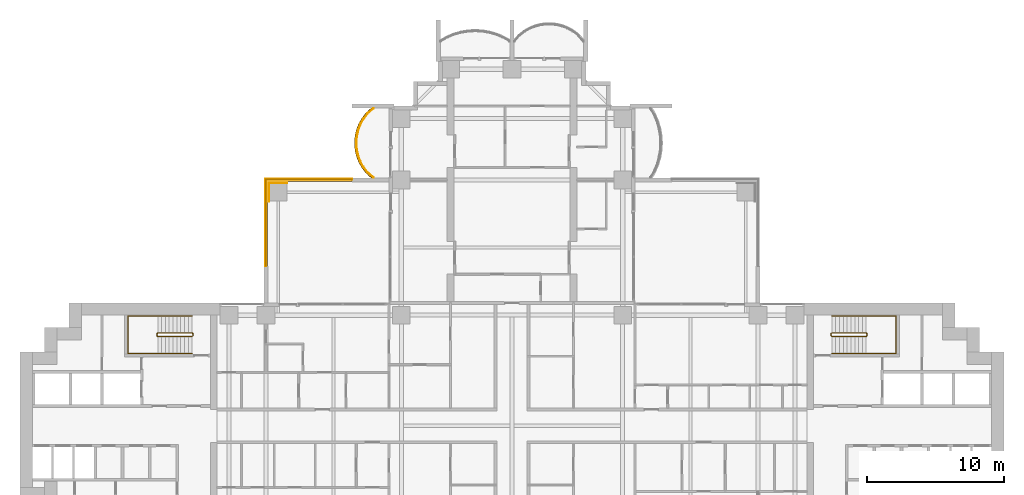
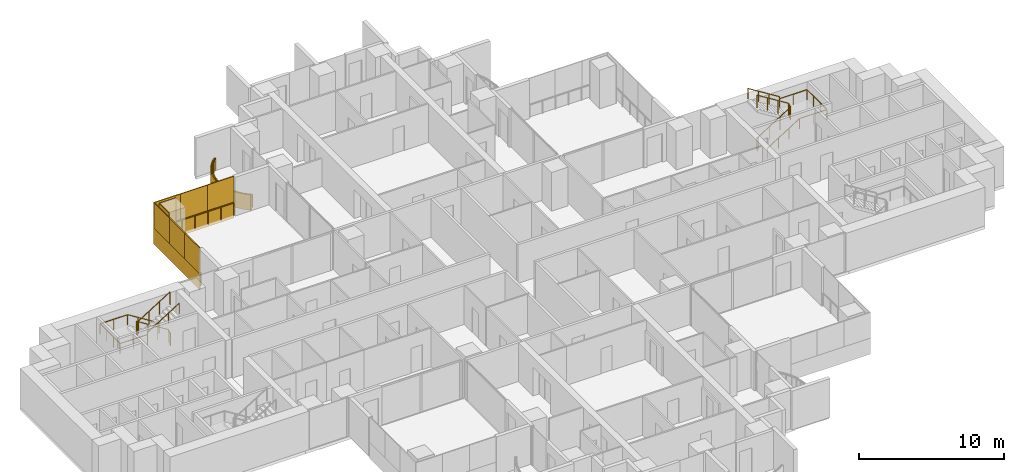
# One storey, part 20 of 21: 10 coverings, 6 railings.
"""IFC4 building model written with IfcOpenShell, lengths in metres."""

from ifc_helpers import new_model, si_unit, direction, frame, origin, origin_2d, place, context, subcontext, project, spatial, polyline, rectangle, outline, extrude, material, layer, layer_set, type_object, element, save


model = new_model("IFC4")

# Units and contexts
model_context = context("Model", 3, precision=1e-05, world=origin(), true_north=direction((0.0, 1.0)))
body_context = subcontext(model_context, "Body", "Model", "MODEL_VIEW")
ifc_project = project(units=[si_unit("LENGTHUNIT", "METRE"), si_unit("AREAUNIT", "SQUARE_METRE"), si_unit("VOLUMEUNIT", "CUBIC_METRE"), si_unit("PLANEANGLEUNIT", "RADIAN"), si_unit("MASSUNIT", "GRAM", prefix="KILO")], contexts=[model_context])

# Site, building, storey
site_placement = place(None, origin())
site = spatial("IfcSite", under=ifc_project, at=site_placement, CompositionType="ELEMENT")
building_placement = place(site_placement, origin())
building = spatial("IfcBuilding", under=site, at=building_placement, Name="Perihelion Cross Residences", CompositionType="ELEMENT")
storey_placement = place(building_placement, frame((0.0, 0.0, 43.5)))
storey = spatial("IfcBuildingStorey", under=building, at=storey_placement, Name="L07", CompositionType="ELEMENT", Elevation=43.5)

# Covering
ifc_material_1 = material(Name="Bronze anodised aluminium", Category="aluminium")
ifc_layer_1 = layer(ifc_material_1, 0.070068359375)
ifc_layer_set_1 = layer_set([ifc_layer_1], Name="Balcony fascia 1300")
covering_type_1 = type_object("IfcCoveringType", Name="Balcony fascia 1300", PredefinedType="CLADDING", material=ifc_layer_set_1)
covering_1_placement = place(storey_placement, frame((0.0, 0.0, -0.199951171875)))
element("IfcCovering", 1, at=covering_1_placement, inside=storey, type_object=covering_type_1, Name="Fascia BF1 L07 north side west bay 1", PredefinedType="CLADDING", context=body_context, shape_type="SweptSolid", body=[
    extrude(outline(polyline([(-10.674072265625, 22.90478515625), (-10.982666015625, 22.50390625), (-11.20654296875, 22.10302734375), (-11.364013671875, 21.7021484375), (-11.464599609375, 21.30126953125), (-11.513916015625, 20.900390625), (-11.513916015625, 20.49951171875), (-11.464599609375, 20.0986328125), (-11.364013671875, 19.69775390625), (-11.20654296875, 19.296875), (-10.982666015625, 18.89599609375), (-10.674072265625, 18.4951171875), (-10.302734375, 18.14990234375), (-10.199951171875, 18.14990234375), (-10.622314453125, 18.542236328125), (-10.924072265625, 18.9345703125), (-11.143310546875, 19.326904296875), (-11.29736328125, 19.71923828125), (-11.39599609375, 20.111572265625), (-11.444091796875, 20.50390625), (-11.444091796875, 20.896240234375), (-11.39599609375, 21.28857421875), (-11.29736328125, 21.6806640625), (-11.143310546875, 22.072998046875), (-10.924072265625, 22.46533203125), (-10.622314453125, 22.857666015625), (-10.199951171875, 23.25), (-10.302734375, 23.25), (-10.674072265625, 22.90478515625)])), origin(), (0.0, 0.0, 1.0), 1.300048828125),
])

# Railings
ifc_material_2 = material(Name="Bronze anodised aluminium", Category="aluminium")
railing_type_1 = type_object("IfcRailingType", Name="Balcony guard 1100", PredefinedType="GUARDRAIL", material=ifc_material_2)
railing_1_placement = place(storey_placement, frame((-10.139892578125, 23.22509765625, 0.0)))
element("IfcRailing", 2, at=railing_1_placement, inside=storey, type_object=railing_type_1, Name="Guard GU1 L07 north side west bay 1 balcony", PredefinedType="GUARDRAIL", context=body_context, shape_type="SweptSolid", body=[
    extrude(rectangle(XDim=0.048095703125, YDim=0.048095703125, at=origin_2d()), frame((0.0, 0.0, 1.076171875), z_axis=(-0.754464673757, -0.656340655493, 0.0), x_axis=(0.656340655493, -0.754464673757, 0.0)), (0.0, 0.0, 1.0), 0.559814453125),
    extrude(rectangle(XDim=0.048095703125, YDim=0.048095703125, at=origin_2d()), frame((-0.42236328125, -0.367431640625, 1.076171875), z_axis=(-0.60966308455, -0.792660660899, 0.0), x_axis=(0.792660660899, -0.60966308455, 0.0)), (0.0, 0.0, 1.0), 0.494873046875),
    extrude(rectangle(XDim=0.048095703125, YDim=0.048095703125, at=origin_2d()), frame((-0.72412109375, -0.759765625, 1.076171875), z_axis=(-0.487809182674, -0.872950285698, 0.0), x_axis=(0.872950285698, -0.487809182674, 0.0)), (0.0, 0.0, 1.0), 0.449462890625),
    extrude(rectangle(XDim=0.048095703125, YDim=0.048095703125, at=origin_2d()), frame((-0.943359375, -1.152099609375, 1.076171875), z_axis=(-0.365491079925, -0.930814842219, 0.0), x_axis=(0.930814842219, -0.365491079925, 0.0)), (0.0, 0.0, 1.0), 0.42138671875),
    extrude(rectangle(XDim=0.048095703125, YDim=0.048095703125, at=origin_2d()), frame((-1.097412109375, -1.54443359375, 1.076171875), z_axis=(-0.243956193074, -0.969786252666, 0.0), x_axis=(0.969786252666, -0.243956193074, 0.0)), (0.0, 0.0, 1.0), 0.404296875),
    extrude(rectangle(XDim=0.048095703125, YDim=0.048095703125, at=origin_2d()), frame((-1.196044921875, -1.9365234375, 1.076171875), z_axis=(-0.121677797999, -0.992569651699, 0.0), x_axis=(0.992569651699, -0.121677797999, 0.0)), (0.0, 0.0, 1.0), 0.395263671875),
    extrude(rectangle(XDim=0.048095703125, YDim=0.048095703125, at=origin_2d()), frame((-1.244140625, -2.328857421875, 1.076171875), z_axis=(0.0, -1.0, 0.0), x_axis=(1.0, 0.0, 0.0)), (0.0, 0.0, 1.0), 0.392333984375),
    extrude(rectangle(XDim=0.048095703125, YDim=0.048095703125, at=origin_2d()), frame((-1.244140625, -2.72119140625, 1.076171875), z_axis=(0.121677797999, -0.992569651699, 0.0), x_axis=(0.992569651699, 0.121677797999, 0.0)), (0.0, 0.0, 1.0), 0.395263671875),
    extrude(rectangle(XDim=0.048095703125, YDim=0.048095703125, at=origin_2d()), frame((-1.196044921875, -3.113525390625, 1.076171875), z_axis=(0.243813411509, -0.969822159145, 0.0), x_axis=(0.969822159145, 0.243813411509, 0.0)), (0.0, 0.0, 1.0), 0.404541015625),
    extrude(rectangle(XDim=0.048095703125, YDim=0.048095703125, at=origin_2d()), frame((-1.097412109375, -3.505859375, 1.076171875), z_axis=(0.365491079925, -0.930814842219, 0.0), x_axis=(0.930814842219, 0.365491079925, 0.0)), (0.0, 0.0, 1.0), 0.42138671875),
    extrude(rectangle(XDim=0.048095703125, YDim=0.048095703125, at=origin_2d()), frame((-0.943359375, -3.898193359375, 1.076171875), z_axis=(0.487809182674, -0.872950285698, 0.0), x_axis=(0.872950285698, 0.487809182674, 0.0)), (0.0, 0.0, 1.0), 0.449462890625),
    extrude(rectangle(XDim=0.048095703125, YDim=0.048095703125, at=origin_2d()), frame((-0.72412109375, -4.29052734375, 1.076171875), z_axis=(0.60966308455, -0.792660660899, 0.0), x_axis=(0.792660660899, 0.60966308455, 0.0)), (0.0, 0.0, 1.0), 0.494873046875),
    extrude(rectangle(XDim=0.048095703125, YDim=0.048095703125, at=origin_2d()), frame((-0.42236328125, -4.682861328125, 1.076171875), z_axis=(0.754680648599, -0.656092309534, 0.0), x_axis=(0.656092309534, 0.754680648599, 0.0)), (0.0, 0.0, 1.0), 0.5595703125),
    extrude(rectangle(XDim=0.0419921875, YDim=0.0419921875, at=origin_2d()), origin(), (0.0, 0.0, 1.0), 1.052001953125),
    extrude(rectangle(XDim=0.0419921875, YDim=0.0419921875, at=origin_2d()), frame((-0.42236328125, -0.367431640625, 0.0)), (0.0, 0.0, 1.0), 1.052001953125),
    extrude(rectangle(XDim=0.0419921875, YDim=0.0419921875, at=origin_2d()), frame((-0.72412109375, -0.759765625, 0.0)), (0.0, 0.0, 1.0), 1.052001953125),
    extrude(rectangle(XDim=0.0419921875, YDim=0.0419921875, at=origin_2d()), frame((-0.943359375, -1.152099609375, 0.0)), (0.0, 0.0, 1.0), 1.052001953125),
    extrude(rectangle(XDim=0.0419921875, YDim=0.0419921875, at=origin_2d()), frame((-1.097412109375, -1.54443359375, 0.0)), (0.0, 0.0, 1.0), 1.052001953125),
    extrude(rectangle(XDim=0.0419921875, YDim=0.0419921875, at=origin_2d()), frame((-1.196044921875, -1.9365234375, 0.0)), (0.0, 0.0, 1.0), 1.052001953125),
    extrude(rectangle(XDim=0.0419921875, YDim=0.0419921875, at=origin_2d()), frame((-1.244140625, -2.328857421875, 0.0)), (0.0, 0.0, 1.0), 1.052001953125),
    extrude(rectangle(XDim=0.0419921875, YDim=0.0419921875, at=origin_2d()), frame((-1.244140625, -2.72119140625, 0.0)), (0.0, 0.0, 1.0), 1.052001953125),
    extrude(rectangle(XDim=0.0419921875, YDim=0.0419921875, at=origin_2d()), frame((-1.196044921875, -3.113525390625, 0.0)), (0.0, 0.0, 1.0), 1.052001953125),
    extrude(rectangle(XDim=0.0419921875, YDim=0.0419921875, at=origin_2d()), frame((-1.097412109375, -3.505859375, 0.0)), (0.0, 0.0, 1.0), 1.052001953125),
    extrude(rectangle(XDim=0.0419921875, YDim=0.0419921875, at=origin_2d()), frame((-0.943359375, -3.898193359375, 0.0)), (0.0, 0.0, 1.0), 1.052001953125),
    extrude(rectangle(XDim=0.0419921875, YDim=0.0419921875, at=origin_2d()), frame((-0.72412109375, -4.29052734375, 0.0)), (0.0, 0.0, 1.0), 1.052001953125),
    extrude(rectangle(XDim=0.0419921875, YDim=0.0419921875, at=origin_2d()), frame((-0.42236328125, -4.682861328125, 0.0)), (0.0, 0.0, 1.0), 1.052001953125),
    extrude(rectangle(XDim=0.0419921875, YDim=0.0419921875, at=origin_2d()), frame((0.0, -5.050048828125, 0.0)), (0.0, 0.0, 1.0), 1.052001953125),
])
railing_2_placement = place(storey_placement, frame((-17.93994140625, 11.739990234375, 0.0)))
element("IfcRailing", 3, at=railing_2_placement, inside=storey, type_object=railing_type_1, Name="Guard GU1 L07 pocket north-west 1", PredefinedType="GUARDRAIL", context=body_context, shape_type="SweptSolid", body=[
    extrude(rectangle(XDim=0.048095703125, YDim=0.048095703125, at=origin_2d()), frame((0.0, 0.0, 1.076171875), z_axis=(0.0, 1.0, 0.0), x_axis=(-1.0, 0.0, 0.0)), (0.0, 0.0, 1.0), 6.199951171875),
    extrude(rectangle(XDim=0.048095703125, YDim=0.048095703125, at=origin_2d()), frame((0.0, 6.199951171875, 1.076171875), z_axis=(1.0, 0.0, 0.0), x_axis=(0.0, 1.0, 0.0)), (0.0, 0.0, 1.0), 6.199951171875),
    extrude(rectangle(XDim=0.0419921875, YDim=0.0419921875, at=origin_2d()), origin(), (0.0, 0.0, 1.0), 1.052001953125),
    extrude(rectangle(XDim=0.0419921875, YDim=0.0419921875, at=origin_2d()), frame((0.0, 1.033203125, 0.0)), (0.0, 0.0, 1.0), 1.052001953125),
    extrude(rectangle(XDim=0.0419921875, YDim=0.0419921875, at=origin_2d()), frame((0.0, 2.066650390625, 0.0)), (0.0, 0.0, 1.0), 1.052001953125),
    extrude(rectangle(XDim=0.0419921875, YDim=0.0419921875, at=origin_2d()), frame((0.0, 3.10009765625, 0.0)), (0.0, 0.0, 1.0), 1.052001953125),
    extrude(rectangle(XDim=0.0419921875, YDim=0.0419921875, at=origin_2d()), frame((0.0, 4.13330078125, 0.0)), (0.0, 0.0, 1.0), 1.052001953125),
    extrude(rectangle(XDim=0.0419921875, YDim=0.0419921875, at=origin_2d()), frame((0.0, 5.16650390625, 0.0)), (0.0, 0.0, 1.0), 1.052001953125),
    extrude(rectangle(XDim=0.0419921875, YDim=0.0419921875, at=origin_2d()), frame((0.0, 6.199951171875, 0.0)), (0.0, 0.0, 1.0), 1.052001953125),
    extrude(rectangle(XDim=0.0419921875, YDim=0.0419921875, at=origin_2d()), frame((1.033203125, 6.199951171875, 0.0)), (0.0, 0.0, 1.0), 1.052001953125),
    extrude(rectangle(XDim=0.0419921875, YDim=0.0419921875, at=origin_2d()), frame((2.066650390625, 6.199951171875, 0.0)), (0.0, 0.0, 1.0), 1.052001953125),
    extrude(rectangle(XDim=0.0419921875, YDim=0.0419921875, at=origin_2d()), frame((3.10009765625, 6.199951171875, 0.0)), (0.0, 0.0, 1.0), 1.052001953125),
    extrude(rectangle(XDim=0.0419921875, YDim=0.0419921875, at=origin_2d()), frame((4.13330078125, 6.199951171875, 0.0)), (0.0, 0.0, 1.0), 1.052001953125),
    extrude(rectangle(XDim=0.0419921875, YDim=0.0419921875, at=origin_2d()), frame((5.16650390625, 6.199951171875, 0.0)), (0.0, 0.0, 1.0), 1.052001953125),
    extrude(rectangle(XDim=0.0419921875, YDim=0.0419921875, at=origin_2d()), frame((6.199951171875, 6.199951171875, 0.0)), (0.0, 0.0, 1.0), 1.052001953125),
])

# Coverings
ifc_material_3 = material(Name="Bronze anodised aluminium", Category="aluminium")
ifc_layer_2 = layer(ifc_material_3, 0.0400390625)
ifc_layer_set_2 = layer_set([ifc_layer_2], Name="Bronze column casing 40")
covering_type_2 = type_object("IfcCoveringType", Name="Bronze column casing 40", PredefinedType="CLADDING", material=ifc_layer_set_2)
covering_2_placement = place(storey_placement, frame((-17.77001953125, 17.10009765625, -0.25), z_axis=(0.0, 0.0, 1.0), x_axis=(1.0, 0.0, 0.0)))
element("IfcCovering", 4, at=covering_2_placement, inside=storey, type_object=covering_type_2, Name="Cladding CC1 L07 casing east-west no. 2", PredefinedType="CLADDING", context=body_context, shape_type="SweptSolid", body=[
    extrude(rectangle(XDim=0.0400390625, YDim=1.3798828125, at=origin_2d()), origin(), (0.0, 0.0, 1.0), 3.5),
])
covering_3_placement = place(storey_placement, frame((-17.10009765625, 17.77001953125, -0.25), z_axis=(0.0, 0.0, 1.0), x_axis=(1.0, 0.0, 0.0)))
element("IfcCovering", 5, at=covering_3_placement, inside=storey, type_object=covering_type_2, Name="Cladding CC1 L07 casing north-south no. 2", PredefinedType="CLADDING", context=body_context, shape_type="SweptSolid", body=[
    extrude(rectangle(XDim=1.300048828125, YDim=0.0400390625, at=origin_2d()), origin(), (0.0, 0.0, 1.0), 3.5),
])
ifc_material_4 = material(Name="Bronze anodised aluminium", Category="aluminium")
ifc_layer_3 = layer(ifc_material_4, 0.070068359375)
ifc_layer_set_3 = layer_set([ifc_layer_3], Name="Pocket fascia 1350")
covering_type_3 = type_object("IfcCoveringType", Name="Pocket fascia 1350", PredefinedType="CLADDING", material=ifc_layer_set_3)
covering_4_placement = place(storey_placement, frame((0.0, 0.0, -0.25)))
element("IfcCovering", 6, at=covering_4_placement, inside=storey, type_object=covering_type_3, Name="Fascia BF2 L07 pocket north-west 3", PredefinedType="CLADDING", context=body_context, shape_type="SweptSolid", body=[
    extrude(outline(polyline([(-18.070068359375, 18.070068359375), (-18.070068359375, 11.699951171875), (-18.0, 11.699951171875), (-18.0, 18.0), (-11.699951171875, 18.0), (-11.699951171875, 18.070068359375), (-18.070068359375, 18.070068359375)])), origin(), (0.0, 0.0, 1.0), 1.35009765625),
])
ifc_material_5 = material(Name="Bronze perforated aluminium", Category="aluminium")
ifc_layer_4 = layer(ifc_material_5, 0.070068359375)
ifc_layer_set_4 = layer_set([ifc_layer_4], Name="Pocket solar screen, bronze perforated")
covering_type_4 = type_object("IfcCoveringType", Name="Pocket solar screen, bronze perforated", PredefinedType="CLADDING", material=ifc_layer_set_4)
covering_5_placement = place(storey_placement, frame((0.0, 0.0, 1.10009765625)))
element("IfcCovering", 7, at=covering_5_placement, inside=storey, type_object=covering_type_4, Name="Solar screen PS1 L07 pocket north-west no. 1", PredefinedType="CLADDING", context=body_context, shape_type="SweptSolid", body=[
    extrude(outline(polyline([(-18.0, 11.699951171875), (-18.0, 13.800048828125), (-18.070068359375, 13.800048828125), (-18.070068359375, 11.699951171875), (-18.0, 11.699951171875)])), origin(), (0.0, 0.0, 1.0), 2.14990234375),
])
covering_6_placement = place(storey_placement, frame((0.0, 0.0, 1.10009765625)))
element("IfcCovering", 8, at=covering_6_placement, inside=storey, type_object=covering_type_4, Name="Solar screen PS1 L07 pocket north-west no. 2", PredefinedType="CLADDING", context=body_context, shape_type="SweptSolid", body=[
    extrude(outline(polyline([(-18.0, 13.800048828125), (-18.0, 15.89990234375), (-18.070068359375, 15.89990234375), (-18.070068359375, 13.800048828125), (-18.0, 13.800048828125)])), origin(), (0.0, 0.0, 1.0), 2.14990234375),
])
covering_7_placement = place(storey_placement, frame((0.0, 0.0, 1.10009765625)))
element("IfcCovering", 9, at=covering_7_placement, inside=storey, type_object=covering_type_4, Name="Solar screen PS1 L07 pocket north-west no. 3", PredefinedType="CLADDING", context=body_context, shape_type="SweptSolid", body=[
    extrude(outline(polyline([(-18.0, 15.89990234375), (-18.0, 18.0), (-18.070068359375, 18.0), (-18.070068359375, 15.89990234375), (-18.0, 15.89990234375)])), origin(), (0.0, 0.0, 1.0), 2.14990234375),
])
covering_8_placement = place(storey_placement, frame((0.0, 0.0, 1.10009765625)))
element("IfcCovering", 10, at=covering_8_placement, inside=storey, type_object=covering_type_4, Name="Solar screen PS1 L07 pocket north-west no. 4", PredefinedType="CLADDING", context=body_context, shape_type="SweptSolid", body=[
    extrude(outline(polyline([(-15.94677734375, 18.0), (-15.94677734375, 18.070068359375), (-18.070068359375, 18.070068359375), (-18.070068359375, 18.0), (-15.94677734375, 18.0)])), origin(), (0.0, 0.0, 1.0), 2.14990234375),
])
covering_9_placement = place(storey_placement, frame((0.0, 0.0, 1.10009765625)))
element("IfcCovering", 11, at=covering_9_placement, inside=storey, type_object=covering_type_4, Name="Solar screen PS1 L07 pocket north-west no. 5", PredefinedType="CLADDING", context=body_context, shape_type="SweptSolid", body=[
    extrude(outline(polyline([(-13.8232421875, 18.0), (-13.8232421875, 18.070068359375), (-15.94677734375, 18.070068359375), (-15.94677734375, 18.0), (-13.8232421875, 18.0)])), origin(), (0.0, 0.0, 1.0), 2.14990234375),
])
covering_10_placement = place(storey_placement, frame((0.0, 0.0, 1.10009765625)))
element("IfcCovering", 12, at=covering_10_placement, inside=storey, type_object=covering_type_4, Name="Solar screen PS1 L07 pocket north-west no. 6", PredefinedType="CLADDING", context=body_context, shape_type="SweptSolid", body=[
    extrude(outline(polyline([(-11.699951171875, 18.0), (-11.699951171875, 18.070068359375), (-13.8232421875, 18.070068359375), (-13.8232421875, 18.0), (-11.699951171875, 18.0)])), origin(), (0.0, 0.0, 1.0), 2.14990234375),
])

# Railings
ifc_material_6 = material(Name="Stainless steel", Category="steel")
railing_type_2 = type_object("IfcRailingType", Name="Stair guard 1100", PredefinedType="GUARDRAIL", material=ifc_material_6)
railing_3_placement = place(storey_placement, frame((23.35009765625, 6.75, 0.0)))
element("IfcRailing", 13, at=railing_3_placement, inside=storey, type_object=railing_type_2, Name="L07 ST-E1 stair guard 1", PredefinedType="GUARDRAIL", context=body_context, shape_type="SweptSolid", body=[
    extrude(rectangle(XDim=0.048095703125, YDim=0.048095703125, at=origin_2d()), frame((0.0, 0.0, 1.076171875), z_axis=(0.0, -1.0, 0.0), x_axis=(1.0, 0.0, 0.0)), (0.0, 0.0, 1.0), 0.14990234375),
    extrude(rectangle(XDim=0.048095703125, YDim=0.048095703125, at=origin_2d()), frame((0.0, -0.14990234375, 1.076171875), z_axis=(0.263862480399, -0.265155923931, 0.927399011991), x_axis=(0.708833529934, 0.705375805398, 0.0)), (0.0, 0.0, 1.0), 0.188720703125),
    extrude(rectangle(XDim=0.048095703125, YDim=0.048095703125, at=origin_2d()), frame((0.0498046875, -0.199951171875, 1.2509765625), z_axis=(0.848007534815, 0.0, 0.529984170421), x_axis=(0.0, 1.0, 0.0)), (0.0, 0.0, 1.0), 2.9716796875),
    extrude(rectangle(XDim=0.048095703125, YDim=0.048095703125, at=origin_2d()), frame((2.56982421875, -0.199951171875, 2.826171875), z_axis=(0.707106781187, 0.707106781187, 0.0), x_axis=(-0.707106781187, 0.707106781187, 0.0)), (0.0, 0.0, 1.0), 0.07080078125),
    extrude(rectangle(XDim=0.048095703125, YDim=0.048095703125, at=origin_2d()), frame((2.619873046875, -0.14990234375, 2.826171875), z_axis=(0.0, 1.0, 0.0), x_axis=(-1.0, 0.0, 0.0)), (0.0, 0.0, 1.0), 0.14990234375),
    extrude(rectangle(XDim=0.048095703125, YDim=0.048095703125, at=origin_2d()), frame((2.619873046875, 0.0, 2.826171875), z_axis=(-0.265065253269, 0.265065253269, 0.927081885822), x_axis=(-0.707106781187, -0.707106781187, 0.0)), (0.0, 0.0, 1.0), 0.188720703125),
    extrude(rectangle(XDim=0.048095703125, YDim=0.048095703125, at=origin_2d()), frame((2.56982421875, 0.050048828125, 3.0009765625), z_axis=(-0.848007534815, 0.0, 0.529984170421), x_axis=(0.0, -1.0, 0.0)), (0.0, 0.0, 1.0), 2.9716796875),
    extrude(rectangle(XDim=0.0419921875, YDim=0.0419921875, at=origin_2d()), origin(), (0.0, 0.0, 1.0), 1.052001953125),
    extrude(rectangle(XDim=0.0419921875, YDim=0.0419921875, at=origin_2d()), frame((0.0, -0.14990234375, 0.0)), (0.0, 0.0, 1.0), 1.052001953125),
    extrude(rectangle(XDim=0.0419921875, YDim=0.0419921875, at=origin_2d()), frame((0.0498046875, -0.199951171875, 0.175048828125)), (0.0, 0.0, 1.0), 1.052001953125),
    extrude(rectangle(XDim=0.0419921875, YDim=0.0419921875, at=origin_2d()), frame((0.889892578125, -0.199951171875, 0.699951171875)), (0.0, 0.0, 1.0), 1.052001953125),
    extrude(rectangle(XDim=0.0419921875, YDim=0.0419921875, at=origin_2d()), frame((1.729736328125, -0.199951171875, 1.22509765625)), (0.0, 0.0, 1.0), 1.052001953125),
    extrude(rectangle(XDim=0.0419921875, YDim=0.0419921875, at=origin_2d()), frame((2.56982421875, -0.199951171875, 1.75)), (0.0, 0.0, 1.0), 1.052001953125),
    extrude(rectangle(XDim=0.0419921875, YDim=0.0419921875, at=origin_2d()), frame((2.619873046875, -0.14990234375, 1.75)), (0.0, 0.0, 1.0), 1.052001953125),
    extrude(rectangle(XDim=0.0419921875, YDim=0.0419921875, at=origin_2d()), frame((2.619873046875, 0.0, 1.75)), (0.0, 0.0, 1.0), 1.052001953125),
    extrude(rectangle(XDim=0.0419921875, YDim=0.0419921875, at=origin_2d()), frame((2.56982421875, 0.050048828125, 1.925048828125)), (0.0, 0.0, 1.0), 1.052001953125),
    extrude(rectangle(XDim=0.0419921875, YDim=0.0419921875, at=origin_2d()), frame((1.729736328125, 0.050048828125, 2.449951171875)), (0.0, 0.0, 1.0), 1.052001953125),
    extrude(rectangle(XDim=0.0419921875, YDim=0.0419921875, at=origin_2d()), frame((0.889892578125, 0.050048828125, 2.97509765625)), (0.0, 0.0, 1.0), 1.052001953125),
    extrude(rectangle(XDim=0.0419921875, YDim=0.0419921875, at=origin_2d()), frame((0.0498046875, 0.050048828125, 3.5)), (0.0, 0.0, 1.0), 1.052001953125),
])
railing_4_placement = place(storey_placement, frame((-23.35009765625, 6.60009765625, 0.0)))
element("IfcRailing", 14, at=railing_4_placement, inside=storey, type_object=railing_type_2, Name="L07 ST-W1 stair guard 1", PredefinedType="GUARDRAIL", context=body_context, shape_type="SweptSolid", body=[
    extrude(rectangle(XDim=0.048095703125, YDim=0.048095703125, at=origin_2d()), frame((0.0, 0.0, 1.076171875), z_axis=(0.0, 1.0, 0.0), x_axis=(-1.0, 0.0, 0.0)), (0.0, 0.0, 1.0), 0.14990234375),
    extrude(rectangle(XDim=0.048095703125, YDim=0.048095703125, at=origin_2d()), frame((0.0, 0.14990234375, 1.076171875), z_axis=(-0.263862480399, 0.265155923931, 0.927399011991), x_axis=(-0.708833529934, -0.705375805398, 0.0)), (0.0, 0.0, 1.0), 0.188720703125),
    extrude(rectangle(XDim=0.048095703125, YDim=0.048095703125, at=origin_2d()), frame((-0.0498046875, 0.199951171875, 1.2509765625), z_axis=(-0.848007534815, 0.0, 0.529984170421), x_axis=(0.0, -1.0, 0.0)), (0.0, 0.0, 1.0), 2.9716796875),
    extrude(rectangle(XDim=0.048095703125, YDim=0.048095703125, at=origin_2d()), frame((-2.56982421875, 0.199951171875, 2.826171875), z_axis=(-0.707106781187, -0.707106781187, 0.0), x_axis=(0.707106781187, -0.707106781187, 0.0)), (0.0, 0.0, 1.0), 0.07080078125),
    extrude(rectangle(XDim=0.048095703125, YDim=0.048095703125, at=origin_2d()), frame((-2.619873046875, 0.14990234375, 2.826171875), z_axis=(0.0, -1.0, 0.0), x_axis=(1.0, 0.0, 0.0)), (0.0, 0.0, 1.0), 0.14990234375),
    extrude(rectangle(XDim=0.048095703125, YDim=0.048095703125, at=origin_2d()), frame((-2.619873046875, 0.0, 2.826171875), z_axis=(0.265065253269, -0.265065253269, 0.927081885822), x_axis=(0.707106781187, 0.707106781187, 0.0)), (0.0, 0.0, 1.0), 0.188720703125),
    extrude(rectangle(XDim=0.048095703125, YDim=0.048095703125, at=origin_2d()), frame((-2.56982421875, -0.050048828125, 3.0009765625), z_axis=(0.848007534815, 0.0, 0.529984170421), x_axis=(0.0, 1.0, 0.0)), (0.0, 0.0, 1.0), 2.9716796875),
    extrude(rectangle(XDim=0.0419921875, YDim=0.0419921875, at=origin_2d()), origin(), (0.0, 0.0, 1.0), 1.052001953125),
    extrude(rectangle(XDim=0.0419921875, YDim=0.0419921875, at=origin_2d()), frame((0.0, 0.14990234375, 0.0)), (0.0, 0.0, 1.0), 1.052001953125),
    extrude(rectangle(XDim=0.0419921875, YDim=0.0419921875, at=origin_2d()), frame((-0.0498046875, 0.199951171875, 0.175048828125)), (0.0, 0.0, 1.0), 1.052001953125),
    extrude(rectangle(XDim=0.0419921875, YDim=0.0419921875, at=origin_2d()), frame((-0.889892578125, 0.199951171875, 0.699951171875)), (0.0, 0.0, 1.0), 1.052001953125),
    extrude(rectangle(XDim=0.0419921875, YDim=0.0419921875, at=origin_2d()), frame((-1.729736328125, 0.199951171875, 1.22509765625)), (0.0, 0.0, 1.0), 1.052001953125),
    extrude(rectangle(XDim=0.0419921875, YDim=0.0419921875, at=origin_2d()), frame((-2.56982421875, 0.199951171875, 1.75)), (0.0, 0.0, 1.0), 1.052001953125),
    extrude(rectangle(XDim=0.0419921875, YDim=0.0419921875, at=origin_2d()), frame((-2.619873046875, 0.14990234375, 1.75)), (0.0, 0.0, 1.0), 1.052001953125),
    extrude(rectangle(XDim=0.0419921875, YDim=0.0419921875, at=origin_2d()), frame((-2.619873046875, 0.0, 1.75)), (0.0, 0.0, 1.0), 1.052001953125),
    extrude(rectangle(XDim=0.0419921875, YDim=0.0419921875, at=origin_2d()), frame((-2.56982421875, -0.050048828125, 1.925048828125)), (0.0, 0.0, 1.0), 1.052001953125),
    extrude(rectangle(XDim=0.0419921875, YDim=0.0419921875, at=origin_2d()), frame((-1.729736328125, -0.050048828125, 2.449951171875)), (0.0, 0.0, 1.0), 1.052001953125),
    extrude(rectangle(XDim=0.0419921875, YDim=0.0419921875, at=origin_2d()), frame((-0.889892578125, -0.050048828125, 2.97509765625)), (0.0, 0.0, 1.0), 1.052001953125),
    extrude(rectangle(XDim=0.0419921875, YDim=0.0419921875, at=origin_2d()), frame((-0.0498046875, -0.050048828125, 3.5)), (0.0, 0.0, 1.0), 1.052001953125),
])
ifc_material_7 = material(Name="Stainless steel", Category="steel")
railing_type_3 = type_object("IfcRailingType", Name="Stair handrail 900", PredefinedType="HANDRAIL", material=ifc_material_7)
railing_5_placement = place(storey_placement, frame((23.39990234375, 5.300048828125, 0.175048828125)))
element("IfcRailing", 15, at=railing_5_placement, inside=storey, type_object=railing_type_3, Name="L07 ST-E1 stair handrail 1", PredefinedType="HANDRAIL", context=body_context, shape_type="SweptSolid", body=[
    extrude(rectangle(XDim=0.048095703125, YDim=0.048095703125, at=origin_2d()), frame((0.0, 0.0, 0.8759765625), z_axis=(0.848007534815, 0.0, 0.529984170421), x_axis=(0.0, 1.0, 0.0)), (0.0, 0.0, 1.0), 2.9716796875),
    extrude(rectangle(XDim=0.048095703125, YDim=0.048095703125, at=origin_2d()), frame((2.52001953125, 0.0, 2.45068359375), z_axis=(1.0, 0.0, 0.0), x_axis=(0.0, 1.0, 0.0)), (0.0, 0.0, 1.0), 2.18017578125),
    extrude(rectangle(XDim=0.048095703125, YDim=0.048095703125, at=origin_2d()), frame((4.7001953125, 0.0, 2.45068359375), z_axis=(0.0, 1.0, 0.0), x_axis=(-1.0, 0.0, 0.0)), (0.0, 0.0, 1.0), 2.75),
    extrude(rectangle(XDim=0.048095703125, YDim=0.048095703125, at=origin_2d()), frame((4.7001953125, 2.75, 2.45068359375), z_axis=(-1.0, 0.0, 0.0), x_axis=(0.0, -1.0, 0.0)), (0.0, 0.0, 1.0), 2.18017578125),
    extrude(rectangle(XDim=0.048095703125, YDim=0.048095703125, at=origin_2d()), frame((2.52001953125, 2.75, 2.45068359375), z_axis=(0.0, 0.0, 1.0), x_axis=(1.0, 0.0, 0.0)), (0.0, 0.0, 1.0), 0.175048828125),
    extrude(rectangle(XDim=0.048095703125, YDim=0.048095703125, at=origin_2d()), frame((2.52001953125, 2.75, 2.6259765625), z_axis=(-0.848007534815, 0.0, 0.529984170421), x_axis=(0.0, -1.0, 0.0)), (0.0, 0.0, 1.0), 2.9716796875),
    extrude(rectangle(XDim=0.0419921875, YDim=0.0419921875, at=origin_2d()), origin(), (0.0, 0.0, 1.0), 0.851806640625),
    extrude(rectangle(XDim=0.0419921875, YDim=0.0419921875, at=origin_2d()), frame((0.840087890625, 0.0, 0.52490234375)), (0.0, 0.0, 1.0), 0.851806640625),
    extrude(rectangle(XDim=0.0419921875, YDim=0.0419921875, at=origin_2d()), frame((1.679931640625, 0.0, 1.050048828125)), (0.0, 0.0, 1.0), 0.851806640625),
    extrude(rectangle(XDim=0.0419921875, YDim=0.0419921875, at=origin_2d()), frame((2.52001953125, 0.0, 1.574951171875)), (0.0, 0.0, 1.0), 0.851806640625),
    extrude(rectangle(XDim=0.0419921875, YDim=0.0419921875, at=origin_2d()), frame((3.610107421875, 0.0, 1.574951171875)), (0.0, 0.0, 1.0), 0.851806640625),
    extrude(rectangle(XDim=0.0419921875, YDim=0.0419921875, at=origin_2d()), frame((4.7001953125, 0.0, 1.574951171875)), (0.0, 0.0, 1.0), 0.851806640625),
    extrude(rectangle(XDim=0.0419921875, YDim=0.0419921875, at=origin_2d()), frame((4.7001953125, 0.916748046875, 1.574951171875)), (0.0, 0.0, 1.0), 0.851806640625),
    extrude(rectangle(XDim=0.0419921875, YDim=0.0419921875, at=origin_2d()), frame((4.7001953125, 1.833251953125, 1.574951171875)), (0.0, 0.0, 1.0), 0.851806640625),
    extrude(rectangle(XDim=0.0419921875, YDim=0.0419921875, at=origin_2d()), frame((4.7001953125, 2.75, 1.574951171875)), (0.0, 0.0, 1.0), 0.851806640625),
    extrude(rectangle(XDim=0.0419921875, YDim=0.0419921875, at=origin_2d()), frame((3.610107421875, 2.75, 1.574951171875)), (0.0, 0.0, 1.0), 0.851806640625),
    extrude(rectangle(XDim=0.0419921875, YDim=0.0419921875, at=origin_2d()), frame((2.52001953125, 2.75, 1.574951171875)), (0.0, 0.0, 1.0), 0.851806640625),
    extrude(rectangle(XDim=0.0419921875, YDim=0.0419921875, at=origin_2d()), frame((2.52001953125, 2.75, 1.75)), (0.0, 0.0, 1.0), 0.851806640625),
    extrude(rectangle(XDim=0.0419921875, YDim=0.0419921875, at=origin_2d()), frame((1.679931640625, 2.75, 2.27490234375)), (0.0, 0.0, 1.0), 0.851806640625),
    extrude(rectangle(XDim=0.0419921875, YDim=0.0419921875, at=origin_2d()), frame((0.840087890625, 2.75, 2.800048828125)), (0.0, 0.0, 1.0), 0.851806640625),
    extrude(rectangle(XDim=0.0419921875, YDim=0.0419921875, at=origin_2d()), frame((0.0, 2.75, 3.324951171875)), (0.0, 0.0, 1.0), 0.851806640625),
])
railing_6_placement = place(storey_placement, frame((-23.39990234375, 8.050048828125, 0.175048828125)))
element("IfcRailing", 16, at=railing_6_placement, inside=storey, type_object=railing_type_3, Name="L07 ST-W1 stair handrail 1", PredefinedType="HANDRAIL", context=body_context, shape_type="SweptSolid", body=[
    extrude(rectangle(XDim=0.048095703125, YDim=0.048095703125, at=origin_2d()), frame((0.0, 0.0, 0.8759765625), z_axis=(-0.848007534815, 0.0, 0.529984170421), x_axis=(0.0, -1.0, 0.0)), (0.0, 0.0, 1.0), 2.9716796875),
    extrude(rectangle(XDim=0.048095703125, YDim=0.048095703125, at=origin_2d()), frame((-2.52001953125, 0.0, 2.45068359375), z_axis=(-1.0, 0.0, 0.0), x_axis=(0.0, -1.0, 0.0)), (0.0, 0.0, 1.0), 2.18017578125),
    extrude(rectangle(XDim=0.048095703125, YDim=0.048095703125, at=origin_2d()), frame((-4.7001953125, 0.0, 2.45068359375), z_axis=(0.0, -1.0, 0.0), x_axis=(1.0, 0.0, 0.0)), (0.0, 0.0, 1.0), 2.75),
    extrude(rectangle(XDim=0.048095703125, YDim=0.048095703125, at=origin_2d()), frame((-4.7001953125, -2.75, 2.45068359375), z_axis=(1.0, 0.0, 0.0), x_axis=(0.0, 1.0, 0.0)), (0.0, 0.0, 1.0), 2.18017578125),
    extrude(rectangle(XDim=0.048095703125, YDim=0.048095703125, at=origin_2d()), frame((-2.52001953125, -2.75, 2.45068359375), z_axis=(0.0, 0.0, 1.0), x_axis=(1.0, 0.0, 0.0)), (0.0, 0.0, 1.0), 0.175048828125),
    extrude(rectangle(XDim=0.048095703125, YDim=0.048095703125, at=origin_2d()), frame((-2.52001953125, -2.75, 2.6259765625), z_axis=(0.848007534815, 0.0, 0.529984170421), x_axis=(0.0, 1.0, 0.0)), (0.0, 0.0, 1.0), 2.9716796875),
    extrude(rectangle(XDim=0.0419921875, YDim=0.0419921875, at=origin_2d()), origin(), (0.0, 0.0, 1.0), 0.851806640625),
    extrude(rectangle(XDim=0.0419921875, YDim=0.0419921875, at=origin_2d()), frame((-0.840087890625, 0.0, 0.52490234375)), (0.0, 0.0, 1.0), 0.851806640625),
    extrude(rectangle(XDim=0.0419921875, YDim=0.0419921875, at=origin_2d()), frame((-1.679931640625, 0.0, 1.050048828125)), (0.0, 0.0, 1.0), 0.851806640625),
    extrude(rectangle(XDim=0.0419921875, YDim=0.0419921875, at=origin_2d()), frame((-2.52001953125, 0.0, 1.574951171875)), (0.0, 0.0, 1.0), 0.851806640625),
    extrude(rectangle(XDim=0.0419921875, YDim=0.0419921875, at=origin_2d()), frame((-3.610107421875, 0.0, 1.574951171875)), (0.0, 0.0, 1.0), 0.851806640625),
    extrude(rectangle(XDim=0.0419921875, YDim=0.0419921875, at=origin_2d()), frame((-4.7001953125, 0.0, 1.574951171875)), (0.0, 0.0, 1.0), 0.851806640625),
    extrude(rectangle(XDim=0.0419921875, YDim=0.0419921875, at=origin_2d()), frame((-4.7001953125, -0.916748046875, 1.574951171875)), (0.0, 0.0, 1.0), 0.851806640625),
    extrude(rectangle(XDim=0.0419921875, YDim=0.0419921875, at=origin_2d()), frame((-4.7001953125, -1.833251953125, 1.574951171875)), (0.0, 0.0, 1.0), 0.851806640625),
    extrude(rectangle(XDim=0.0419921875, YDim=0.0419921875, at=origin_2d()), frame((-4.7001953125, -2.75, 1.574951171875)), (0.0, 0.0, 1.0), 0.851806640625),
    extrude(rectangle(XDim=0.0419921875, YDim=0.0419921875, at=origin_2d()), frame((-3.610107421875, -2.75, 1.574951171875)), (0.0, 0.0, 1.0), 0.851806640625),
    extrude(rectangle(XDim=0.0419921875, YDim=0.0419921875, at=origin_2d()), frame((-2.52001953125, -2.75, 1.574951171875)), (0.0, 0.0, 1.0), 0.851806640625),
    extrude(rectangle(XDim=0.0419921875, YDim=0.0419921875, at=origin_2d()), frame((-2.52001953125, -2.75, 1.75)), (0.0, 0.0, 1.0), 0.851806640625),
    extrude(rectangle(XDim=0.0419921875, YDim=0.0419921875, at=origin_2d()), frame((-1.679931640625, -2.75, 2.27490234375)), (0.0, 0.0, 1.0), 0.851806640625),
    extrude(rectangle(XDim=0.0419921875, YDim=0.0419921875, at=origin_2d()), frame((-0.840087890625, -2.75, 2.800048828125)), (0.0, 0.0, 1.0), 0.851806640625),
    extrude(rectangle(XDim=0.0419921875, YDim=0.0419921875, at=origin_2d()), frame((0.0, -2.75, 3.324951171875)), (0.0, 0.0, 1.0), 0.851806640625),
])

save(model, "model.ifc")
